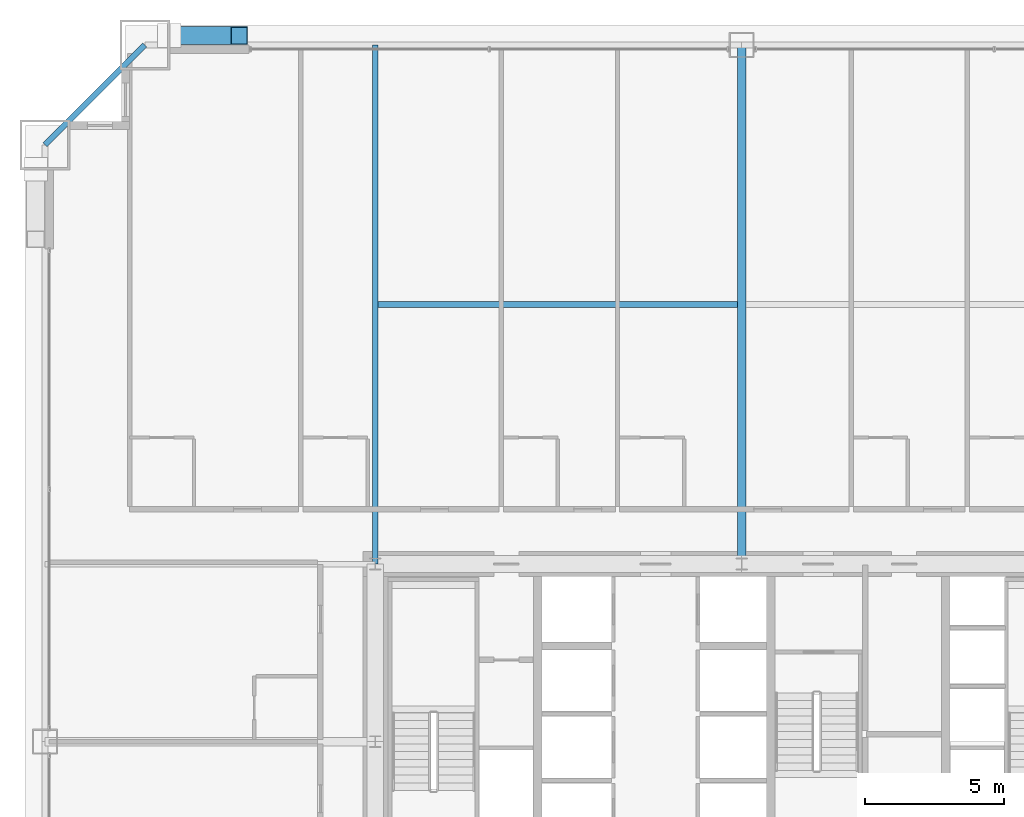
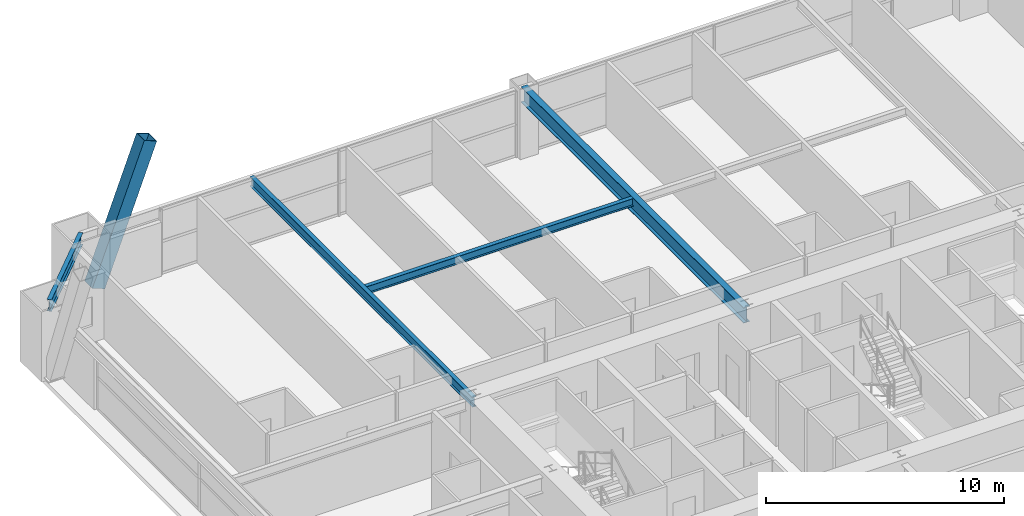
# One storey, part 25 of 43: 4 beams, 1 member.
"""IFC4 building model written with IfcOpenShell, lengths in metres."""

from ifc_helpers import new_model, si_unit, direction, frame, origin, origin_2d, place, context, subcontext, project, spatial, hollow_rectangle, i_section, extrude, source, transform, mapped, material, material_profile, profile_set, type_object, element, save


model = new_model("IFC4")

# Units and contexts
model_context = context("Model", 3, precision=1e-05, world=origin(), true_north=direction((0.0, 1.0)))
body_context = subcontext(model_context, "Body", "Model", "MODEL_VIEW")
ifc_project = project(units=[si_unit("LENGTHUNIT", "METRE"), si_unit("AREAUNIT", "SQUARE_METRE"), si_unit("VOLUMEUNIT", "CUBIC_METRE"), si_unit("PLANEANGLEUNIT", "RADIAN"), si_unit("MASSUNIT", "GRAM", prefix="KILO"), si_unit("THERMODYNAMICTEMPERATUREUNIT", "KELVIN"), si_unit("POWERUNIT", "WATT")], contexts=[model_context])

# Site, building, storey
site_placement = place(None, origin())
site = spatial("IfcSite", under=ifc_project, at=site_placement, CompositionType="ELEMENT")
building_placement = place(site_placement, origin())
building = spatial("IfcBuilding", under=site, at=building_placement, Name="Yuzanri Waterfront Tower", CompositionType="ELEMENT")
storey_placement = place(building_placement, frame((0.0, 0.0, 46.0)))
storey = spatial("IfcBuildingStorey", under=building, at=storey_placement, Name="L11", CompositionType="ELEMENT", Elevation=46.0)

# Beams
ifc_material_1 = material(Name="Steel Q355B", Category="steel")
ifc_material_profile_1 = material_profile(ifc_material_1, i_section(OverallWidth=0.199951171875, OverallDepth=0.60009765625, WebThickness=0.010986328125, FlangeThickness=0.01708984375, at=origin_2d()), Name="HN 600x200x11x17")
ifc_profile_set_1 = profile_set([ifc_material_profile_1], Name="Steel Q355B")
beam_type_1 = type_object("IfcBeamType", Name="Perimeter Spandrel Q355B HN 600x200", PredefinedType="SPANDREL", material=ifc_profile_set_1)
shared_shape_1 = source(origin(), body_context, "Body", "SweptSolid", [
    extrude(i_section(OverallWidth=0.199951171875, OverallDepth=0.60009765625, WebThickness=0.010986328125, FlangeThickness=0.01708984375, at=origin_2d()), origin(), (0.0, 0.0, 1.0), 5.091064453125),
])
beam_1_placement = place(storey_placement, frame((15.5, 50.89990234375, 3.080078125), z_axis=(-0.707130757816, -0.707082803744, 0.0), x_axis=(0.707082803744, -0.707130757816, 0.0)))
element("IfcBeam", 1, at=beam_1_placement, inside=storey, type_object=beam_type_1, Name="L11 Perimeter Spandrel N1-W3", PredefinedType="SPANDREL", context=body_context, shape_type="MappedRepresentation", body=[
    mapped(shared_shape_1, transform((0.0, 0.0, 0.0), scale=1.0)),
])
ifc_material_2 = material(Name="Steel Q355B", Category="steel")
ifc_material_profile_2 = material_profile(ifc_material_2, i_section(OverallWidth=0.300048828125, OverallDepth=0.800048828125, WebThickness=0.013916015625, FlangeThickness=0.02587890625, at=origin_2d()), Name="HN 800x300x14x26")
ifc_profile_set_2 = profile_set([ifc_material_profile_2], Name="Steel Q355B")
beam_type_2 = type_object("IfcBeamType", Name="Primary Floor Girder Q355B HN 800x300", PredefinedType="BEAM", material=ifc_profile_set_2)
shared_shape_2 = source(origin(), body_context, "Body", "SweptSolid", [
    extrude(i_section(OverallWidth=0.300048828125, OverallDepth=0.800048828125, WebThickness=0.013916015625, FlangeThickness=0.02587890625, at=origin_2d()), origin(), (0.0, 0.0, 1.0), 18.699951171875),
])
beam_2_placement = place(storey_placement, frame((37.0, 32.199951171875, 2.97998046875), z_axis=(0.0, 1.0, 0.0), x_axis=(-1.0, 0.0, 0.0)))
element("IfcBeam", 2, at=beam_2_placement, inside=storey, type_object=beam_type_2, Name="L11 North Grid Girder", PredefinedType="BEAM", context=body_context, shape_type="MappedRepresentation", body=[
    mapped(shared_shape_2, transform((0.0, 0.0, 0.0), scale=1.0)),
])
ifc_material_3 = material(Name="Steel Q355B", Category="steel")
ifc_material_profile_3 = material_profile(ifc_material_3, i_section(OverallWidth=0.199951171875, OverallDepth=0.5, WebThickness=0.010009765625, FlangeThickness=0.01611328125, at=origin_2d()), Name="HN 500x200x10x16")
ifc_profile_set_3 = profile_set([ifc_material_profile_3], Name="Steel Q355B")
beam_type_3 = type_object("IfcBeamType", Name="Secondary Floor Beam Q355B HN 500x200", PredefinedType="BEAM", material=ifc_profile_set_3)
shared_shape_3 = source(origin(), body_context, "Body", "SweptSolid", [
    extrude(i_section(OverallWidth=0.199951171875, OverallDepth=0.5, WebThickness=0.010009765625, FlangeThickness=0.01611328125, at=origin_2d()), origin(), (0.0, 0.0, 1.0), 18.699951171875),
])
beam_3_placement = place(storey_placement, frame((23.800048828125, 32.199951171875, 3.1298828125), z_axis=(0.0, 1.0, 0.0), x_axis=(-1.0, 0.0, 0.0)))
element("IfcBeam", 3, at=beam_3_placement, inside=storey, type_object=beam_type_3, Name="L11 North-West Core Line Beam", PredefinedType="BEAM", context=body_context, shape_type="MappedRepresentation", body=[
    mapped(shared_shape_3, transform((0.0, 0.0, 0.0), scale=1.0)),
])
ifc_material_4 = material(Name="Steel Q355B", Category="steel")
ifc_material_profile_4 = material_profile(ifc_material_4, i_section(OverallWidth=0.199951171875, OverallDepth=0.39990234375, WebThickness=0.008056640625, FlangeThickness=0.012939453125, at=origin_2d()), Name="HN 400x200x8x13")
ifc_profile_set_4 = profile_set([ifc_material_profile_4], Name="Steel Q355B")
beam_type_4 = type_object("IfcBeamType", Name="Floor Joist Q355B HN 400x200", PredefinedType="JOIST", material=ifc_profile_set_4)
shared_shape_4 = source(origin(), body_context, "Body", "SweptSolid", [
    extrude(i_section(OverallWidth=0.199951171875, OverallDepth=0.39990234375, WebThickness=0.008056640625, FlangeThickness=0.012939453125, at=origin_2d()), origin(), (0.0, 0.0, 1.0), 12.9501953125),
])
beam_4_placement = place(storey_placement, frame((23.89990234375, 41.550048828125, 3.179931640625), z_axis=(1.0, 0.0, 0.0), x_axis=(0.0, 1.0, 0.0)))
element("IfcBeam", 4, at=beam_4_placement, inside=storey, type_object=beam_type_4, Name="L11 North Bay Joist W", PredefinedType="JOIST", context=body_context, shape_type="MappedRepresentation", body=[
    mapped(shared_shape_4, transform((0.0, 0.0, 0.0), scale=1.0)),
])

# Member
ifc_material_5 = material(Name="Steel Q420GJC", Category="steel")
ifc_material_profile_5 = material_profile(ifc_material_5, hollow_rectangle(XDim=0.64990234375, YDim=0.64990234375, WallThickness=0.028076171875, at=origin_2d()), Name="RHS 650x650x28")
ifc_profile_set_5 = profile_set([ifc_material_profile_5], Name="Steel Q420GJC")
member_type = type_object("IfcMemberType", Name="Mega Brace Lower Q420GJC RHS 650x650x28", PredefinedType="BRACE", material=ifc_profile_set_5)
shared_shape_5 = source(origin(), body_context, "Body", "SweptSolid", [
    extrude(hollow_rectangle(XDim=0.64990234375, YDim=0.64990234375, WallThickness=0.028076171875, at=origin_2d()), origin(), (0.0, 0.0, 1.0), 7.158203125),
])
member_placement = place(storey_placement, frame((16.3798828125, 51.239990234375, 0.179931640625), z_axis=(0.352046480343, 0.0, 0.935982518896), x_axis=(0.0, 1.0, 0.0)))
element("IfcMember", 5, at=member_placement, inside=storey, type_object=member_type, Name="L11-L12 Perimeter Mega-Brace N-L", PredefinedType="BRACE", context=body_context, shape_type="MappedRepresentation", body=[
    mapped(shared_shape_5, transform((0.0, 0.0, 0.0), scale=1.0)),
])

save(model, "model.ifc")
